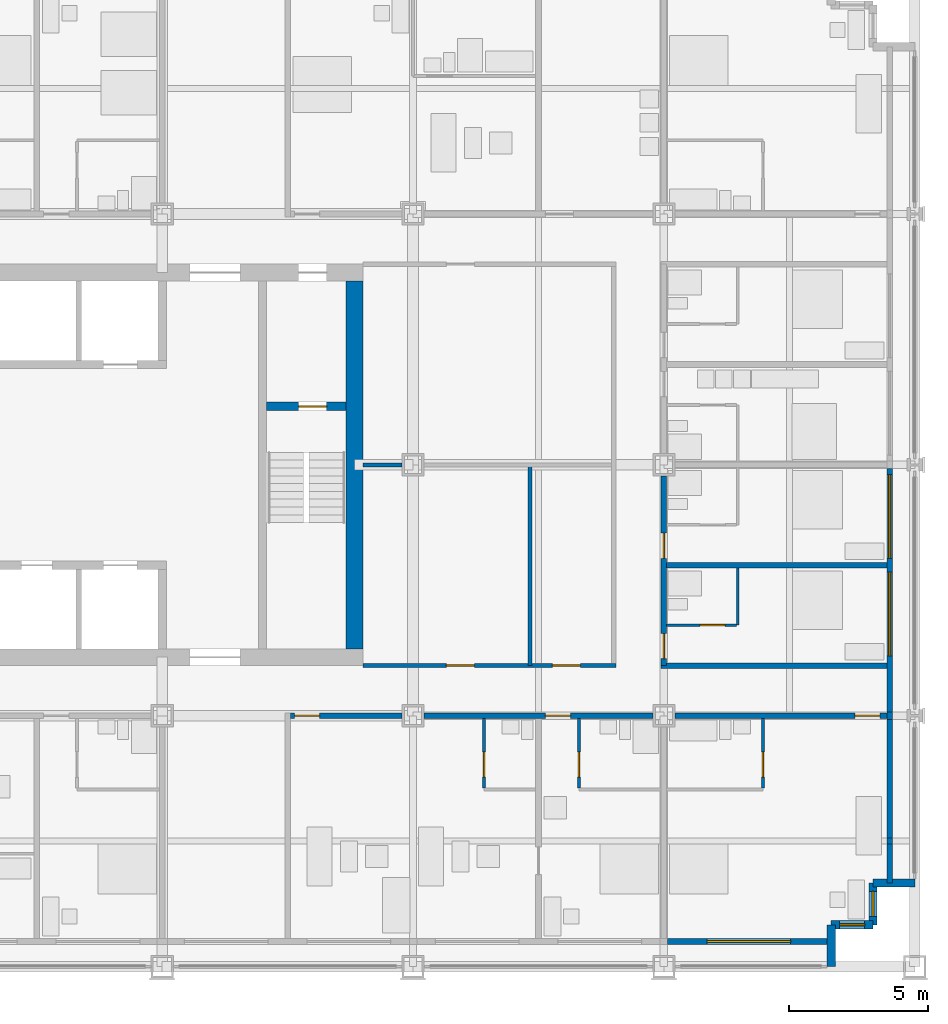
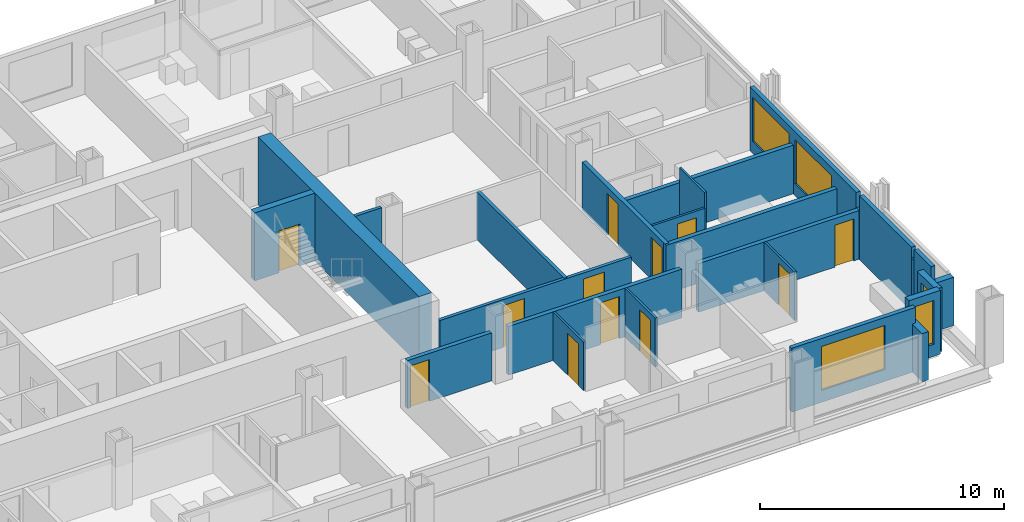
# One storey, part 13 of 18: 26 walls, 12 doors, 5 windows, 17 openings.
"""IFC4 building model written with IfcOpenShell, lengths in metres."""

from ifc_helpers import new_model, si_unit, direction, frame, frame_2d, origin, place, context, subcontext, project, spatial, rectangle, extrude, material, layer, layer_set, type_object, element, fill, save


model = new_model("IFC4")

# Units and contexts
model_context = context("Model", 3, precision=1e-05, world=origin(), true_north=direction((0.0, 1.0)))
body_context = subcontext(model_context, "Body", "Model", "MODEL_VIEW")
ifc_project = project(units=[si_unit("LENGTHUNIT", "METRE"), si_unit("AREAUNIT", "SQUARE_METRE"), si_unit("VOLUMEUNIT", "CUBIC_METRE"), si_unit("PLANEANGLEUNIT", "RADIAN"), si_unit("MASSUNIT", "GRAM", prefix="KILO")], contexts=[model_context])

# Site, building, storey
site_placement = place(None, origin())
site = spatial("IfcSite", under=ifc_project, at=site_placement, CompositionType="ELEMENT")
building_placement = place(site_placement, origin())
building = spatial("IfcBuilding", under=site, at=building_placement, Name="Loomwork Tower", CompositionType="ELEMENT")
storey_placement = place(building_placement, frame((0.0, 0.0, 58.60009765625)))
storey = spatial("IfcBuildingStorey", under=building, at=storey_placement, Name="L14", CompositionType="ELEMENT", Elevation=58.60009765625)

# Wall, opening, door
ifc_material_1 = material(Name="Concrete 14000 psi (97 MPa)", Category="concrete")
ifc_layer_1 = layer(ifc_material_1, 0.300048828125)
ifc_layer_set_1 = layer_set([ifc_layer_1], Name="Core shear wall 300")
wall_type_1 = type_object("IfcWallType", Name="Core shear wall 300", PredefinedType="SHEAR", material=ifc_layer_set_1)
wall_1_placement = place(storey_placement, frame((30.75, 20.10009765625, 0.0), z_axis=(0.0, 0.0, 1.0), x_axis=(1.0, 0.0, 0.0)))
wall_1 = element("IfcWall", 1, at=wall_1_placement, inside=storey, type_object=wall_type_1, Name="Stair B north wall L14", PredefinedType="SHEAR", context=body_context, shape_type="SweptSolid", body=[
    extrude(rectangle(XDim=2.85009765625, YDim=0.300048828125, at=frame_2d((1.425048828125, 0.0))), origin(), (0.0, 0.0, 1.0), 3.39990234375),
])
opening_1_placement = place(wall_1_placement, frame((1.14990234375, 0.0, 0.0)))
opening_1 = element("IfcOpeningElement", 2, at=opening_1_placement, cuts=wall_1, Name="Opening D4", PredefinedType="OPENING", context=body_context, shape_type="SweptSolid", body=[
    extrude(rectangle(XDim=1.0, YDim=2.10009765625, at=frame_2d((0.5, 1.050048828125))), frame((0.0, 0.159912109375, 0.0), z_axis=(0.0, -1.0, 0.0), x_axis=(1.0, 0.0, 0.0)), (0.0, 0.0, 1.0), 0.320068359375),
])
ifc_material_2 = material(Name="Hollow metal door and frame")
door_type_1 = type_object("IfcDoorType", Name="Stair door 1000", OperationType="SINGLE_SWING_RIGHT", PredefinedType="DOOR", material=ifc_material_2)
door_1_placement = place(opening_1_placement, frame((1.0, 0.0, 0.0), z_axis=(0.0, 0.0, 1.0), x_axis=(-1.0, 0.0, 0.0)))
door_1 = element("IfcDoor", 3, at=door_1_placement, inside=storey, type_object=door_type_1, Name="Stair B door", OperationType="SINGLE_SWING_LEFT", OverallHeight=2.10009765625, OverallWidth=1.0, PredefinedType="DOOR", context=body_context, shape_type="SweptSolid", body=[
    extrude(rectangle(XDim=1.0, YDim=2.10009765625, at=frame_2d((0.5, 1.050048828125))), frame((0.0, 0.02490234375, 0.0), z_axis=(0.0, -1.0, 0.0), x_axis=(1.0, 0.0, 0.0)), (0.0, 0.0, 1.0), 0.050048828125),
])
fill(opening_1, door_1)

# Wall
ifc_material_3 = material(Name="Concrete 14000 psi (97 MPa)", Category="concrete")
ifc_layer_2 = layer(ifc_material_3, 0.60009765625)
ifc_layer_set_2 = layer_set([ifc_layer_2], Name="Core shear wall 600")
wall_type_2 = type_object("IfcWallType", Name="Core shear wall 600", PredefinedType="SHEAR", material=ifc_layer_set_2)
wall_2_placement = place(storey_placement, frame((33.89990234375, 11.39990234375, 0.0), z_axis=(0.0, 0.0, 1.0), x_axis=(0.0, 1.0, 0.0)))
element("IfcWall", 4, at=wall_2_placement, inside=storey, type_object=wall_type_2, Name="Core wall east L14", PredefinedType="SHEAR", context=body_context, shape_type="SweptSolid", body=[
    extrude(rectangle(XDim=13.2001953125, YDim=0.60009765625, at=frame_2d((6.60009765625, 0.0))), origin(), (0.0, 0.0, 1.0), 3.39990234375),
])

# Wall, opening, door
ifc_material_4 = material(Name="Gypsum board on steel studs, one-hour", Category="steel")
ifc_layer_3 = layer(ifc_material_4, 0.199951171875)
ifc_layer_set_3 = layer_set([ifc_layer_3], Name="Corridor wall 200")
wall_type_3 = type_object("IfcWallType", Name="Corridor wall 200", PredefinedType="PARTITIONING", material=ifc_layer_set_3)
wall_3_placement = place(storey_placement, frame((31.60009765625, 9.0, 0.0), z_axis=(0.0, 0.0, 1.0), x_axis=(1.0, 0.0, 0.0)))
wall_3 = element("IfcWall", 5, at=wall_3_placement, inside=storey, type_object=wall_type_3, Name="South corridor wall 4", PredefinedType="PARTITIONING", context=body_context, shape_type="SweptSolid", body=[
    extrude(rectangle(XDim=4.0, YDim=0.199951171875, at=frame_2d((2.0, 0.0))), origin(), (0.0, 0.0, 1.0), 2.40478515625),
])
opening_2_placement = place(wall_3_placement, frame((0.14990234375, 0.0, 0.0)))
opening_2 = element("IfcOpeningElement", 6, at=opening_2_placement, cuts=wall_3, Name="Opening D1", PredefinedType="OPENING", context=body_context, shape_type="SweptSolid", body=[
    extrude(rectangle(XDim=0.89990234375, YDim=2.10009765625, at=frame_2d((0.449951171875, 1.050048828125))), frame((0.0, 0.10986328125, 0.0), z_axis=(0.0, -1.0, 0.0), x_axis=(1.0, 0.0, 0.0)), (0.0, 0.0, 1.0), 0.219970703125),
])
ifc_material_5 = material(Name="Hollow metal door and frame")
door_type_2 = type_object("IfcDoorType", Name="Guest room entry door 900", OperationType="SINGLE_SWING_LEFT", PredefinedType="DOOR", material=ifc_material_5)
door_2_placement = place(opening_2_placement, frame((0.89990234375, 0.0, 0.0), z_axis=(0.0, 0.0, 1.0), x_axis=(-1.0, 0.0, 0.0)))
door_2 = element("IfcDoor", 7, at=door_2_placement, inside=storey, type_object=door_type_2, Name="Guest room entry door L14 5", OperationType="SINGLE_SWING_RIGHT", OverallHeight=2.10009765625, OverallWidth=0.89990234375, PredefinedType="DOOR", context=body_context, shape_type="SweptSolid", body=[
    extrude(rectangle(XDim=0.89990234375, YDim=2.10009765625, at=frame_2d((0.449951171875, 1.050048828125))), frame((0.0, 0.02490234375, 0.0), z_axis=(0.0, -1.0, 0.0), x_axis=(1.0, 0.0, 0.0)), (0.0, 0.0, 1.0), 0.050048828125),
])
fill(opening_2, door_2)

wall_4_placement = place(storey_placement, frame((36.39990234375, 9.0, 0.0), z_axis=(0.0, 0.0, 1.0), x_axis=(1.0, 0.0, 0.0)))
wall_4 = element("IfcWall", 8, at=wall_4_placement, inside=storey, type_object=wall_type_3, Name="South corridor wall 5", PredefinedType="PARTITIONING", context=body_context, shape_type="SweptSolid", body=[
    extrude(rectangle(XDim=8.2001953125, YDim=0.199951171875, at=frame_2d((4.10009765625, 0.0))), origin(), (0.0, 0.0, 1.0), 2.43798828125),
])
opening_3_placement = place(wall_4_placement, frame((4.35009765625, 0.0, 0.0)))
opening_3 = element("IfcOpeningElement", 9, at=opening_3_placement, cuts=wall_4, Name="Opening D1", PredefinedType="OPENING", context=body_context, shape_type="SweptSolid", body=[
    extrude(rectangle(XDim=0.89990234375, YDim=2.10009765625, at=frame_2d((0.449951171875, 1.050048828125))), frame((0.0, 0.10986328125, 0.0), z_axis=(0.0, -1.0, 0.0), x_axis=(1.0, 0.0, 0.0)), (0.0, 0.0, 1.0), 0.219970703125),
])
door_3_placement = place(opening_3_placement, frame((0.89990234375, 0.0, 0.0), z_axis=(0.0, 0.0, 1.0), x_axis=(-1.0, 0.0, 0.0)))
door_3 = element("IfcDoor", 10, at=door_3_placement, inside=storey, type_object=door_type_2, Name="Guest room entry door L14 6", OperationType="SINGLE_SWING_RIGHT", OverallHeight=2.10009765625, OverallWidth=0.89990234375, PredefinedType="DOOR", context=body_context, shape_type="SweptSolid", body=[
    extrude(rectangle(XDim=0.89990234375, YDim=2.10009765625, at=frame_2d((0.449951171875, 1.050048828125))), frame((0.0, 0.02490234375, 0.0), z_axis=(0.0, -1.0, 0.0), x_axis=(1.0, 0.0, 0.0)), (0.0, 0.0, 1.0), 0.050048828125),
])
fill(opening_3, door_3)

wall_5_placement = place(storey_placement, frame((45.39990234375, 9.0, 0.0), z_axis=(0.0, 0.0, 1.0), x_axis=(1.0, 0.0, 0.0)))
wall_5 = element("IfcWall", 11, at=wall_5_placement, inside=storey, type_object=wall_type_3, Name="South corridor wall 6", PredefinedType="PARTITIONING", context=body_context, shape_type="SweptSolid", body=[
    extrude(rectangle(XDim=7.60009765625, YDim=0.199951171875, at=frame_2d((3.800048828125, 0.0))), origin(), (0.0, 0.0, 1.0), 2.43798828125),
])
opening_4_placement = place(wall_5_placement, frame((6.449951171875, 0.0, 0.0)))
opening_4 = element("IfcOpeningElement", 12, at=opening_4_placement, cuts=wall_5, Name="Opening D1", PredefinedType="OPENING", context=body_context, shape_type="SweptSolid", body=[
    extrude(rectangle(XDim=0.89990234375, YDim=2.10009765625, at=frame_2d((0.449951171875, 1.050048828125))), frame((0.0, 0.10986328125, 0.0), z_axis=(0.0, -1.0, 0.0), x_axis=(1.0, 0.0, 0.0)), (0.0, 0.0, 1.0), 0.219970703125),
])
door_4_placement = place(opening_4_placement, frame((0.89990234375, 0.0, 0.0), z_axis=(0.0, 0.0, 1.0), x_axis=(-1.0, 0.0, 0.0)))
door_4 = element("IfcDoor", 13, at=door_4_placement, inside=storey, type_object=door_type_2, Name="Guest room entry door L14 7", OperationType="SINGLE_SWING_LEFT", OverallHeight=2.10009765625, OverallWidth=0.89990234375, PredefinedType="DOOR", context=body_context, shape_type="SweptSolid", body=[
    extrude(rectangle(XDim=0.89990234375, YDim=2.10009765625, at=frame_2d((0.449951171875, 1.050048828125))), frame((0.0, 0.02490234375, 0.0), z_axis=(0.0, -1.0, 0.0), x_axis=(1.0, 0.0, 0.0)), (0.0, 0.0, 1.0), 0.050048828125),
])
fill(opening_4, door_4)

# Wall, openings, doors
wall_6_placement = place(storey_placement, frame((45.0, 10.800048828125, 0.0), z_axis=(0.0, 0.0, 1.0), x_axis=(0.0, 1.0, 0.0)))
wall_6 = element("IfcWall", 14, at=wall_6_placement, inside=storey, type_object=wall_type_3, Name="East corridor wall 1", PredefinedType="PARTITIONING", context=body_context, shape_type="SweptSolid", body=[
    extrude(rectangle(XDim=6.800048828125, YDim=0.199951171875, at=frame_2d((3.39990234375, 0.0))), origin(), (0.0, 0.0, 1.0), 2.43798828125),
])
opening_5_placement = place(wall_6_placement, frame((0.25, 0.0, 0.0)))
opening_5 = element("IfcOpeningElement", 15, at=opening_5_placement, cuts=wall_6, Name="Opening D1", PredefinedType="OPENING", context=body_context, shape_type="SweptSolid", body=[
    extrude(rectangle(XDim=0.89990234375, YDim=2.10009765625, at=frame_2d((0.449951171875, 1.050048828125))), frame((0.0, 0.10986328125, 0.0), z_axis=(0.0, -1.0, 0.0), x_axis=(1.0, 0.0, 0.0)), (0.0, 0.0, 1.0), 0.219970703125),
])
opening_6_placement = place(wall_6_placement, frame((3.85009765625, 0.0, 0.0)))
opening_6 = element("IfcOpeningElement", 16, at=opening_6_placement, cuts=wall_6, Name="Opening D1", PredefinedType="OPENING", context=body_context, shape_type="SweptSolid", body=[
    extrude(rectangle(XDim=0.89990234375, YDim=2.10009765625, at=frame_2d((0.449951171875, 1.050048828125))), frame((0.0, 0.10986328125, 0.0), z_axis=(0.0, -1.0, 0.0), x_axis=(1.0, 0.0, 0.0)), (0.0, 0.0, 1.0), 0.219970703125),
])
door_5_placement = place(opening_5_placement, frame((0.89990234375, 0.0, 0.0), z_axis=(0.0, 0.0, 1.0), x_axis=(-1.0, 0.0, 0.0)))
door_5 = element("IfcDoor", 17, at=door_5_placement, inside=storey, type_object=door_type_2, Name="Guest room entry door L14 19", OperationType="SINGLE_SWING_RIGHT", OverallHeight=2.10009765625, OverallWidth=0.89990234375, PredefinedType="DOOR", context=body_context, shape_type="SweptSolid", body=[
    extrude(rectangle(XDim=0.89990234375, YDim=2.10009765625, at=frame_2d((0.449951171875, 1.050048828125))), frame((0.0, 0.02490234375, 0.0), z_axis=(0.0, -1.0, 0.0), x_axis=(1.0, 0.0, 0.0)), (0.0, 0.0, 1.0), 0.050048828125),
])
fill(opening_5, door_5)
door_6_placement = place(opening_6_placement, frame((0.89990234375, 0.0, 0.0), z_axis=(0.0, 0.0, 1.0), x_axis=(-1.0, 0.0, 0.0)))
door_6 = element("IfcDoor", 18, at=door_6_placement, inside=storey, type_object=door_type_2, Name="Guest room entry door L14 20", OperationType="SINGLE_SWING_RIGHT", OverallHeight=2.10009765625, OverallWidth=0.89990234375, PredefinedType="DOOR", context=body_context, shape_type="SweptSolid", body=[
    extrude(rectangle(XDim=0.89990234375, YDim=2.10009765625, at=frame_2d((0.449951171875, 1.050048828125))), frame((0.0, 0.02490234375, 0.0), z_axis=(0.0, -1.0, 0.0), x_axis=(1.0, 0.0, 0.0)), (0.0, 0.0, 1.0), 0.050048828125),
])
fill(opening_6, door_6)

# Wall
wall_7_placement = place(storey_placement, frame((44.89990234375, 10.800048828125, 0.0), z_axis=(0.0, 0.0, 1.0), x_axis=(1.0, 0.0, 0.0)))
element("IfcWall", 19, at=wall_7_placement, inside=storey, type_object=wall_type_3, Name="East band end wall S", PredefinedType="PARTITIONING", context=body_context, shape_type="SweptSolid", body=[
    extrude(rectangle(XDim=8.10009765625, YDim=0.199951171875, at=frame_2d((4.050048828125, 0.0))), origin(), (0.0, 0.0, 1.0), 2.43798828125),
])

# Wall, opening, door
ifc_material_6 = material(Name="Cement board on steel studs", Category="steel")
ifc_layer_4 = layer(ifc_material_6, 0.10009765625)
ifc_layer_set_4 = layer_set([ifc_layer_4], Name="En-suite partition 100")
wall_type_4 = type_object("IfcWallType", Name="En-suite partition 100", PredefinedType="PARTITIONING", material=ifc_layer_set_4)
wall_8_placement = place(storey_placement, frame((38.550048828125, 8.89990234375, 0.0), z_axis=(0.0, 0.0, 1.0), x_axis=(0.0, -1.0, 0.0)))
wall_8 = element("IfcWall", 20, at=wall_8_placement, inside=storey, type_object=wall_type_4, Name="En-suite side wall L14 room 5", PredefinedType="PARTITIONING", context=body_context, shape_type="SweptSolid", body=[
    extrude(rectangle(XDim=2.5, YDim=0.10009765625, at=frame_2d((1.25, 0.0))), origin(), (0.0, 0.0, 1.0), 2.43798828125),
])
opening_7_placement = place(wall_8_placement, frame((1.199951171875, 0.0, 0.0)))
opening_7 = element("IfcOpeningElement", 21, at=opening_7_placement, cuts=wall_8, Name="Opening D2", PredefinedType="OPENING", context=body_context, shape_type="SweptSolid", body=[
    extrude(rectangle(XDim=0.89990234375, YDim=2.10009765625, at=frame_2d((0.449951171875, 1.050048828125))), frame((0.0, 0.06005859375, 0.0), z_axis=(0.0, -1.0, 0.0), x_axis=(1.0, 0.0, 0.0)), (0.0, 0.0, 1.0), 0.1201171875),
])
ifc_material_7 = material(Name="Hollow metal door and frame")
door_type_3 = type_object("IfcDoorType", Name="En-suite door 900", OperationType="SINGLE_SWING_LEFT", PredefinedType="DOOR", material=ifc_material_7)
door_7_placement = place(opening_7_placement, origin())
door_7 = element("IfcDoor", 22, at=door_7_placement, inside=storey, type_object=door_type_3, Name="Suite powder room door room 5", OperationType="SINGLE_SWING_RIGHT", OverallHeight=2.10009765625, OverallWidth=0.89990234375, PredefinedType="DOOR", context=body_context, shape_type="SweptSolid", body=[
    extrude(rectangle(XDim=0.89990234375, YDim=2.10009765625, at=frame_2d((0.449951171875, 1.050048828125))), frame((0.0, 0.02490234375, 0.0), z_axis=(0.0, -1.0, 0.0), x_axis=(1.0, 0.0, 0.0)), (0.0, 0.0, 1.0), 0.050048828125),
])
fill(opening_7, door_7)

wall_9_placement = place(storey_placement, frame((41.949951171875, 8.89990234375, 0.0), z_axis=(0.0, 0.0, 1.0), x_axis=(0.0, -1.0, 0.0)))
wall_9 = element("IfcWall", 23, at=wall_9_placement, inside=storey, type_object=wall_type_4, Name="En-suite side wall L14 room 6", PredefinedType="PARTITIONING", context=body_context, shape_type="SweptSolid", body=[
    extrude(rectangle(XDim=2.5, YDim=0.10009765625, at=frame_2d((1.25, 0.0))), origin(), (0.0, 0.0, 1.0), 2.43798828125),
])
opening_8_placement = place(wall_9_placement, frame((1.199951171875, 0.0, 0.0)))
opening_8 = element("IfcOpeningElement", 24, at=opening_8_placement, cuts=wall_9, Name="Opening D2", PredefinedType="OPENING", context=body_context, shape_type="SweptSolid", body=[
    extrude(rectangle(XDim=0.89990234375, YDim=2.10009765625, at=frame_2d((0.449951171875, 1.050048828125))), frame((0.0, 0.06005859375, 0.0), z_axis=(0.0, -1.0, 0.0), x_axis=(1.0, 0.0, 0.0)), (0.0, 0.0, 1.0), 0.1201171875),
])
door_8_placement = place(opening_8_placement, origin())
door_8 = element("IfcDoor", 25, at=door_8_placement, inside=storey, type_object=door_type_3, Name="En-suite door room 6", OperationType="SINGLE_SWING_RIGHT", OverallHeight=2.10009765625, OverallWidth=0.89990234375, PredefinedType="DOOR", context=body_context, shape_type="SweptSolid", body=[
    extrude(rectangle(XDim=0.89990234375, YDim=2.10009765625, at=frame_2d((0.449951171875, 1.050048828125))), frame((0.0, 0.02490234375, 0.0), z_axis=(0.0, -1.0, 0.0), x_axis=(1.0, 0.0, 0.0)), (0.0, 0.0, 1.0), 0.050048828125),
])
fill(opening_8, door_8)

wall_10_placement = place(storey_placement, frame((48.550048828125, 8.89990234375, 0.0), z_axis=(0.0, 0.0, 1.0), x_axis=(0.0, -1.0, 0.0)))
wall_10 = element("IfcWall", 26, at=wall_10_placement, inside=storey, type_object=wall_type_4, Name="En-suite side wall L14 room 7", PredefinedType="PARTITIONING", context=body_context, shape_type="SweptSolid", body=[
    extrude(rectangle(XDim=2.5, YDim=0.10009765625, at=frame_2d((1.25, 0.0))), origin(), (0.0, 0.0, 1.0), 2.43798828125),
])
opening_9_placement = place(wall_10_placement, frame((1.199951171875, 0.0, 0.0)))
opening_9 = element("IfcOpeningElement", 27, at=opening_9_placement, cuts=wall_10, Name="Opening D2", PredefinedType="OPENING", context=body_context, shape_type="SweptSolid", body=[
    extrude(rectangle(XDim=0.89990234375, YDim=2.10009765625, at=frame_2d((0.449951171875, 1.050048828125))), frame((0.0, 0.06005859375, 0.0), z_axis=(0.0, -1.0, 0.0), x_axis=(1.0, 0.0, 0.0)), (0.0, 0.0, 1.0), 0.1201171875),
])
door_9_placement = place(opening_9_placement, frame((0.89990234375, 0.0, 0.0), z_axis=(0.0, 0.0, 1.0), x_axis=(-1.0, 0.0, 0.0)))
door_9 = element("IfcDoor", 28, at=door_9_placement, inside=storey, type_object=door_type_3, Name="En-suite door room 7", OperationType="SINGLE_SWING_LEFT", OverallHeight=2.10009765625, OverallWidth=0.89990234375, PredefinedType="DOOR", context=body_context, shape_type="SweptSolid", body=[
    extrude(rectangle(XDim=0.89990234375, YDim=2.10009765625, at=frame_2d((0.449951171875, 1.050048828125))), frame((0.0, 0.02490234375, 0.0), z_axis=(0.0, -1.0, 0.0), x_axis=(1.0, 0.0, 0.0)), (0.0, 0.0, 1.0), 0.050048828125),
])
fill(opening_9, door_9)

# Wall
wall_11_placement = place(storey_placement, frame((47.64990234375, 12.25, 0.0), z_axis=(0.0, 0.0, 1.0), x_axis=(0.0, 1.0, 0.0)))
element("IfcWall", 29, at=wall_11_placement, inside=storey, type_object=wall_type_4, Name="En-suite wall L14 room 19", PredefinedType="PARTITIONING", context=body_context, shape_type="SweptSolid", body=[
    extrude(rectangle(XDim=2.050048828125, YDim=0.10009765625, at=frame_2d((1.02490234375, 0.0))), origin(), (0.0, 0.0, 1.0), 3.199951171875),
])

# Wall, opening, door
wall_12_placement = place(storey_placement, frame((45.10009765625, 12.25, 0.0), z_axis=(0.0, 0.0, 1.0), x_axis=(1.0, 0.0, 0.0)))
wall_12 = element("IfcWall", 30, at=wall_12_placement, inside=storey, type_object=wall_type_4, Name="En-suite side wall L14 room 19", PredefinedType="PARTITIONING", context=body_context, shape_type="SweptSolid", body=[
    extrude(rectangle(XDim=2.5, YDim=0.10009765625, at=frame_2d((1.25, 0.0))), origin(), (0.0, 0.0, 1.0), 2.43798828125),
])
opening_10_placement = place(wall_12_placement, frame((1.199951171875, 0.0, 0.0)))
opening_10 = element("IfcOpeningElement", 31, at=opening_10_placement, cuts=wall_12, Name="Opening D2", PredefinedType="OPENING", context=body_context, shape_type="SweptSolid", body=[
    extrude(rectangle(XDim=0.89990234375, YDim=2.10009765625, at=frame_2d((0.449951171875, 1.050048828125))), frame((0.0, 0.06005859375, 0.0), z_axis=(0.0, -1.0, 0.0), x_axis=(1.0, 0.0, 0.0)), (0.0, 0.0, 1.0), 0.1201171875),
])
door_10_placement = place(opening_10_placement, origin())
door_10 = element("IfcDoor", 32, at=door_10_placement, inside=storey, type_object=door_type_3, Name="En-suite door room 19", OperationType="SINGLE_SWING_RIGHT", OverallHeight=2.10009765625, OverallWidth=0.89990234375, PredefinedType="DOOR", context=body_context, shape_type="SweptSolid", body=[
    extrude(rectangle(XDim=0.89990234375, YDim=2.10009765625, at=frame_2d((0.449951171875, 1.050048828125))), frame((0.0, 0.02490234375, 0.0), z_axis=(0.0, -1.0, 0.0), x_axis=(1.0, 0.0, 0.0)), (0.0, 0.0, 1.0), 0.050048828125),
])
fill(opening_10, door_10)

# Walls
ifc_material_8 = material(Name="Gypsum board on steel studs, acoustic", Category="steel")
ifc_layer_5 = layer(ifc_material_8, 0.199951171875)
ifc_layer_set_5 = layer_set([ifc_layer_5], Name="Guest room party wall 200")
wall_type_5 = type_object("IfcWallType", Name="Guest room party wall 200", PredefinedType="PARTITIONING", material=ifc_layer_set_5)
wall_13_placement = place(storey_placement, frame((45.10009765625, 14.39990234375, 0.0), z_axis=(0.0, 0.0, 1.0), x_axis=(1.0, 0.0, 0.0)))
element("IfcWall", 33, at=wall_13_placement, inside=storey, type_object=wall_type_5, Name="Guest room party wall E 14.4", PredefinedType="PARTITIONING", context=body_context, shape_type="SweptSolid", body=[
    extrude(rectangle(XDim=7.89990234375, YDim=0.199951171875, at=frame_2d((3.949951171875, 0.0))), origin(), (0.0, 0.0, 1.0), 2.43798828125),
])
ifc_material_9 = material(Name="Insulated steel stud wall with gypsum lining", Category="steel")
ifc_layer_6 = layer(ifc_material_9, 0.199951171875)
ifc_layer_set_6 = layer_set([ifc_layer_6], Name="Inner skin wall 200")
wall_type_6 = type_object("IfcWallType", Name="Inner skin wall 200", PredefinedType="SOLIDWALL", material=ifc_layer_set_6)
wall_14_placement = place(storey_placement, frame((53.10009765625, 3.0, 0.0), z_axis=(0.0, 0.0, 1.0), x_axis=(0.0, 1.0, 0.0)))
element("IfcWall", 34, at=wall_14_placement, inside=storey, type_object=wall_type_6, Name="Inner skin wall E", PredefinedType="SOLIDWALL", context=body_context, shape_type="SweptSolid", body=[
    extrude(rectangle(XDim=1.392578125, YDim=0.199951171875, at=frame_2d((0.6962890625, 0.0))), origin(), (0.0, 0.0, 1.0), 3.199951171875),
])

# Wall, opening, window
wall_15_placement = place(storey_placement, frame((45.135498046875, 0.89990234375, 0.0), z_axis=(0.0, 0.0, 1.0), x_axis=(1.0, 0.0, 0.0)))
wall_15 = element("IfcWall", 35, at=wall_15_placement, inside=storey, type_object=wall_type_6, Name="Inner skin wall S bay 11", PredefinedType="SOLIDWALL", context=body_context, shape_type="SweptSolid", body=[
    extrude(rectangle(XDim=5.864501953125, YDim=0.199951171875, at=frame_2d((2.93212890625, 0.0))), origin(), (0.0, 0.0, 1.0), 3.199951171875),
])
opening_11_placement = place(wall_15_placement, frame((1.41455078125, 0.0, 0.60009765625)))
opening_11 = element("IfcOpeningElement", 36, at=opening_11_placement, cuts=wall_15, Name="Opening CH1", PredefinedType="OPENING", context=body_context, shape_type="SweptSolid", body=[
    extrude(rectangle(XDim=3.0, YDim=2.199951171875, at=frame_2d((1.5, 1.10009765625))), frame((0.0, 0.10986328125, 0.0), z_axis=(0.0, -1.0, 0.0), x_axis=(1.0, 0.0, 0.0)), (0.0, 0.0, 1.0), 0.219970703125),
])
ifc_material_10 = material(Name="Aluminium frame with clear insulated glass", Category="aluminium")
window_type_1 = type_object("IfcWindowType", Name="Chicago window 3000", PartitioningType="TRIPLE_PANEL_VERTICAL", PredefinedType="WINDOW", material=ifc_material_10)
window_1_placement = place(opening_11_placement, origin())
window_1 = element("IfcWindow", 37, at=window_1_placement, inside=storey, type_object=window_type_1, Name="Chicago window L14 bay 6", OverallHeight=2.199951171875, OverallWidth=3.0, PartitioningType="TRIPLE_PANEL_VERTICAL", PredefinedType="WINDOW", context=body_context, shape_type="SweptSolid", body=[
    extrude(rectangle(XDim=3.0, YDim=2.199951171875, at=frame_2d((1.5, 1.10009765625))), frame((0.0, 0.030029296875, 0.0), z_axis=(0.0, -1.0, 0.0), x_axis=(1.0, 0.0, 0.0)), (0.0, 0.0, 1.0), 0.06005859375),
])
fill(opening_11, window_1)

# Walls
wall_16_placement = place(storey_placement, frame((53.10009765625, 4.392578125, 0.0), z_axis=(0.0, 0.0, 1.0), x_axis=(0.0, 1.0, 0.0)))
element("IfcWall", 38, at=wall_16_placement, inside=storey, type_object=wall_type_6, Name="Inner skin wall E bay 2", PredefinedType="SOLIDWALL", context=body_context, shape_type="SweptSolid", body=[
    extrude(rectangle(XDim=0.21484375, YDim=0.199951171875, at=frame_2d((0.107421875, 0.0))), origin(), (0.0, 0.0, 1.0), 2.660888671875),
])
wall_17_placement = place(storey_placement, frame((53.10009765625, 4.607421875, 0.0), z_axis=(0.0, 0.0, 1.0), x_axis=(0.0, 1.0, 0.0)))
element("IfcWall", 39, at=wall_17_placement, inside=storey, type_object=wall_type_6, Name="Inner skin wall E bay 3", PredefinedType="SOLIDWALL", context=body_context, shape_type="SweptSolid", body=[
    extrude(rectangle(XDim=4.25732421875, YDim=0.199951171875, at=frame_2d((2.128662109375, 0.0))), origin(), (0.0, 0.0, 1.0), 3.199951171875),
])
wall_18_placement = place(storey_placement, frame((53.10009765625, 8.86474609375, 0.0), z_axis=(0.0, 0.0, 1.0), x_axis=(0.0, 1.0, 0.0)))
element("IfcWall", 40, at=wall_18_placement, inside=storey, type_object=wall_type_6, Name="Inner skin wall E bay 4", PredefinedType="SOLIDWALL", context=body_context, shape_type="SweptSolid", body=[
    extrude(rectangle(XDim=0.2705078125, YDim=0.199951171875, at=frame_2d((0.13525390625, 0.0))), origin(), (0.0, 0.0, 1.0), 2.43798828125),
])

# Wall, openings, windows
wall_19_placement = place(storey_placement, frame((53.10009765625, 9.13525390625, 0.0), z_axis=(0.0, 0.0, 1.0), x_axis=(0.0, 1.0, 0.0)))
wall_19 = element("IfcWall", 41, at=wall_19_placement, inside=storey, type_object=wall_type_6, Name="Inner skin wall E bay 5", PredefinedType="SOLIDWALL", context=body_context, shape_type="SweptSolid", body=[
    extrude(rectangle(XDim=8.729248046875, YDim=0.199951171875, at=frame_2d((4.36474609375, 0.0))), origin(), (0.0, 0.0, 1.0), 3.199951171875),
])
opening_12_placement = place(wall_19_placement, frame((2.0146484375, 0.0, 0.60009765625)))
opening_12 = element("IfcOpeningElement", 42, at=opening_12_placement, cuts=wall_19, Name="Opening CH1", PredefinedType="OPENING", context=body_context, shape_type="SweptSolid", body=[
    extrude(rectangle(XDim=3.0, YDim=2.199951171875, at=frame_2d((1.5, 1.10009765625))), frame((0.0, 0.10986328125, 0.0), z_axis=(0.0, -1.0, 0.0), x_axis=(1.0, 0.0, 0.0)), (0.0, 0.0, 1.0), 0.219970703125),
])
opening_13_placement = place(wall_19_placement, frame((5.5146484375, 0.0, 0.60009765625)))
opening_13 = element("IfcOpeningElement", 43, at=opening_13_placement, cuts=wall_19, Name="Opening CH1", PredefinedType="OPENING", context=body_context, shape_type="SweptSolid", body=[
    extrude(rectangle(XDim=3.0, YDim=2.199951171875, at=frame_2d((1.5, 1.10009765625))), frame((0.0, 0.10986328125, 0.0), z_axis=(0.0, -1.0, 0.0), x_axis=(1.0, 0.0, 0.0)), (0.0, 0.0, 1.0), 0.219970703125),
])
window_2_placement = place(opening_12_placement, origin())
window_2 = element("IfcWindow", 44, at=window_2_placement, inside=storey, type_object=window_type_1, Name="Chicago window L14 bay 15", OverallHeight=2.199951171875, OverallWidth=3.0, PartitioningType="TRIPLE_PANEL_VERTICAL", PredefinedType="WINDOW", context=body_context, shape_type="SweptSolid", body=[
    extrude(rectangle(XDim=3.0, YDim=2.199951171875, at=frame_2d((1.5, 1.10009765625))), frame((0.0, 0.030029296875, 0.0), z_axis=(0.0, -1.0, 0.0), x_axis=(1.0, 0.0, 0.0)), (0.0, 0.0, 1.0), 0.06005859375),
])
fill(opening_12, window_2)
window_3_placement = place(opening_13_placement, origin())
window_3 = element("IfcWindow", 45, at=window_3_placement, inside=storey, type_object=window_type_1, Name="Chicago window L14 bay 15", OverallHeight=2.199951171875, OverallWidth=3.0, PartitioningType="TRIPLE_PANEL_VERTICAL", PredefinedType="WINDOW", context=body_context, shape_type="SweptSolid", body=[
    extrude(rectangle(XDim=3.0, YDim=2.199951171875, at=frame_2d((1.5, 1.10009765625))), frame((0.0, 0.030029296875, 0.0), z_axis=(0.0, -1.0, 0.0), x_axis=(1.0, 0.0, 0.0)), (0.0, 0.0, 1.0), 0.06005859375),
])
fill(opening_13, window_3)

# Wall
ifc_material_11 = material(Name="Limestone on concrete masonry", Category="masonry")
ifc_layer_7 = layer(ifc_material_11, 0.300048828125)
ifc_layer_set_7 = layer_set([ifc_layer_7], Name="Limestone corner wall 300")
wall_type_7 = type_object("IfcWallType", Name="Limestone corner wall 300", PredefinedType="SOLIDWALL", material=ifc_layer_set_7)
wall_20_placement = place(storey_placement, frame((51.0, 0.0, 0.0), z_axis=(0.0, 0.0, 1.0), x_axis=(0.0, 1.0, 0.0)))
element("IfcWall", 46, at=wall_20_placement, inside=storey, type_object=wall_type_7, Name="Stone corner wall SE 1", PredefinedType="SOLIDWALL", context=body_context, shape_type="SweptSolid", body=[
    extrude(rectangle(XDim=1.5, YDim=0.300048828125, at=frame_2d((0.75, 0.0))), origin(), (0.0, 0.0, 1.0), 2.419921875),
])

# Wall, opening, window
wall_21_placement = place(storey_placement, frame((51.0, 1.5, 0.0), z_axis=(0.0, 0.0, 1.0), x_axis=(1.0, 0.0, 0.0)))
wall_21 = element("IfcWall", 47, at=wall_21_placement, inside=storey, type_object=wall_type_7, Name="Stone corner wall SE 2", PredefinedType="SOLIDWALL", context=body_context, shape_type="SweptSolid", body=[
    extrude(rectangle(XDim=1.5, YDim=0.300048828125, at=frame_2d((0.75, 0.0))), origin(), (0.0, 0.0, 1.0), 3.199951171875),
])
opening_14_placement = place(wall_21_placement, frame((0.300048828125, 0.0, 0.60009765625)))
opening_14 = element("IfcOpeningElement", 48, at=opening_14_placement, cuts=wall_21, Name="Opening CH2", PredefinedType="OPENING", context=body_context, shape_type="SweptSolid", body=[
    extrude(rectangle(XDim=0.89990234375, YDim=2.199951171875, at=frame_2d((0.449951171875, 1.10009765625))), frame((0.0, 0.159912109375, 0.0), z_axis=(0.0, -1.0, 0.0), x_axis=(1.0, 0.0, 0.0)), (0.0, 0.0, 1.0), 0.320068359375),
])
ifc_material_12 = material(Name="Aluminium frame with clear insulated glass", Category="aluminium")
window_type_2 = type_object("IfcWindowType", Name="Corner window 900", PartitioningType="SINGLE_PANEL", PredefinedType="WINDOW", material=ifc_material_12)
window_4_placement = place(opening_14_placement, origin())
window_4 = element("IfcWindow", 49, at=window_4_placement, inside=storey, type_object=window_type_2, Name="Corner window SE", OverallHeight=2.199951171875, OverallWidth=0.89990234375, PartitioningType="SINGLE_PANEL", PredefinedType="WINDOW", context=body_context, shape_type="SweptSolid", body=[
    extrude(rectangle(XDim=0.89990234375, YDim=2.199951171875, at=frame_2d((0.449951171875, 1.10009765625))), frame((0.0, 0.030029296875, 0.0), z_axis=(0.0, -1.0, 0.0), x_axis=(1.0, 0.0, 0.0)), (0.0, 0.0, 1.0), 0.06005859375),
])
fill(opening_14, window_4)

wall_22_placement = place(storey_placement, frame((52.5, 1.5, 0.0), z_axis=(0.0, 0.0, 1.0), x_axis=(0.0, 1.0, 0.0)))
wall_22 = element("IfcWall", 50, at=wall_22_placement, inside=storey, type_object=wall_type_7, Name="Stone corner wall SE 3", PredefinedType="SOLIDWALL", context=body_context, shape_type="SweptSolid", body=[
    extrude(rectangle(XDim=1.5, YDim=0.300048828125, at=frame_2d((0.75, 0.0))), origin(), (0.0, 0.0, 1.0), 3.199951171875),
])
opening_15_placement = place(wall_22_placement, frame((0.300048828125, 0.0, 0.60009765625)))
opening_15 = element("IfcOpeningElement", 51, at=opening_15_placement, cuts=wall_22, Name="Opening CH2", PredefinedType="OPENING", context=body_context, shape_type="SweptSolid", body=[
    extrude(rectangle(XDim=0.89990234375, YDim=2.199951171875, at=frame_2d((0.449951171875, 1.10009765625))), frame((0.0, 0.159912109375, 0.0), z_axis=(0.0, -1.0, 0.0), x_axis=(1.0, 0.0, 0.0)), (0.0, 0.0, 1.0), 0.320068359375),
])
window_5_placement = place(opening_15_placement, origin())
window_5 = element("IfcWindow", 52, at=window_5_placement, inside=storey, type_object=window_type_2, Name="Corner window SE", OverallHeight=2.199951171875, OverallWidth=0.89990234375, PartitioningType="SINGLE_PANEL", PredefinedType="WINDOW", context=body_context, shape_type="SweptSolid", body=[
    extrude(rectangle(XDim=0.89990234375, YDim=2.199951171875, at=frame_2d((0.449951171875, 1.10009765625))), frame((0.0, 0.030029296875, 0.0), z_axis=(0.0, -1.0, 0.0), x_axis=(1.0, 0.0, 0.0)), (0.0, 0.0, 1.0), 0.06005859375),
])
fill(opening_15, window_5)

# Wall
wall_23_placement = place(storey_placement, frame((52.5, 3.0, 0.0), z_axis=(0.0, 0.0, 1.0), x_axis=(1.0, 0.0, 0.0)))
element("IfcWall", 53, at=wall_23_placement, inside=storey, type_object=wall_type_7, Name="Stone corner wall SE 4", PredefinedType="SOLIDWALL", context=body_context, shape_type="SweptSolid", body=[
    extrude(rectangle(XDim=1.5, YDim=0.300048828125, at=frame_2d((0.75, 0.0))), origin(), (0.0, 0.0, 1.0), 2.419921875),
])

# Wall, openings, doors
ifc_material_13 = material(Name="Gypsum board on steel studs, one-hour", Category="steel")
ifc_layer_8 = layer(ifc_material_13, 0.14990234375)
ifc_layer_set_8 = layer_set([ifc_layer_8], Name="Service partition 150")
wall_type_8 = type_object("IfcWallType", Name="Service partition 150", PredefinedType="PARTITIONING", material=ifc_layer_set_8)
wall_24_placement = place(storey_placement, frame((34.199951171875, 10.800048828125, 0.0), z_axis=(0.0, 0.0, 1.0), x_axis=(1.0, 0.0, 0.0)))
wall_24 = element("IfcWall", 54, at=wall_24_placement, inside=storey, type_object=wall_type_8, Name="Service block wall S", PredefinedType="PARTITIONING", context=body_context, shape_type="SweptSolid", body=[
    extrude(rectangle(XDim=9.074951171875, YDim=0.14990234375, at=frame_2d((4.53759765625, 0.0))), origin(), (0.0, 0.0, 1.0), 2.40380859375),
])
opening_16_placement = place(wall_24_placement, frame((6.800048828125, 0.0, 0.0)))
opening_16 = element("IfcOpeningElement", 55, at=opening_16_placement, cuts=wall_24, Name="Opening D5", PredefinedType="OPENING", context=body_context, shape_type="SweptSolid", body=[
    extrude(rectangle(XDim=1.0, YDim=2.10009765625, at=frame_2d((0.5, 1.050048828125))), frame((0.0, 0.0849609375, 0.0), z_axis=(0.0, -1.0, 0.0), x_axis=(1.0, 0.0, 0.0)), (0.0, 0.0, 1.0), 0.169921875),
])
opening_17_placement = place(wall_24_placement, frame((3.0, 0.0, 0.0)))
opening_17 = element("IfcOpeningElement", 56, at=opening_17_placement, cuts=wall_24, Name="Opening D5", PredefinedType="OPENING", context=body_context, shape_type="SweptSolid", body=[
    extrude(rectangle(XDim=1.0, YDim=2.10009765625, at=frame_2d((0.5, 1.050048828125))), frame((0.0, 0.0849609375, 0.0), z_axis=(0.0, -1.0, 0.0), x_axis=(1.0, 0.0, 0.0)), (0.0, 0.0, 1.0), 0.169921875),
])
ifc_material_14 = material(Name="Hollow metal door and frame")
door_type_4 = type_object("IfcDoorType", Name="Service door 1000", OperationType="SINGLE_SWING_LEFT", PredefinedType="DOOR", material=ifc_material_14)
door_11_placement = place(opening_16_placement, origin())
door_11 = element("IfcDoor", 57, at=door_11_placement, inside=storey, type_object=door_type_4, Name="Housekeeping staff room door", OperationType="SINGLE_SWING_LEFT", OverallHeight=2.10009765625, OverallWidth=1.0, PredefinedType="DOOR", context=body_context, shape_type="SweptSolid", body=[
    extrude(rectangle(XDim=1.0, YDim=2.10009765625, at=frame_2d((0.5, 1.050048828125))), frame((0.0, 0.02490234375, 0.0), z_axis=(0.0, -1.0, 0.0), x_axis=(1.0, 0.0, 0.0)), (0.0, 0.0, 1.0), 0.050048828125),
])
fill(opening_16, door_11)
door_12_placement = place(opening_17_placement, origin())
door_12 = element("IfcDoor", 58, at=door_12_placement, inside=storey, type_object=door_type_4, Name="Housekeeping store door", OperationType="SINGLE_SWING_RIGHT", OverallHeight=2.10009765625, OverallWidth=1.0, PredefinedType="DOOR", context=body_context, shape_type="SweptSolid", body=[
    extrude(rectangle(XDim=1.0, YDim=2.10009765625, at=frame_2d((0.5, 1.050048828125))), frame((0.0, 0.02490234375, 0.0), z_axis=(0.0, -1.0, 0.0), x_axis=(1.0, 0.0, 0.0)), (0.0, 0.0, 1.0), 0.050048828125),
])
fill(opening_17, door_12)

# Walls
wall_25_placement = place(storey_placement, frame((34.199951171875, 18.0, 0.0), z_axis=(0.0, 0.0, 1.0), x_axis=(1.0, 0.0, 0.0)))
element("IfcWall", 59, at=wall_25_placement, inside=storey, type_object=wall_type_8, Name="Service block divider", PredefinedType="PARTITIONING", context=body_context, shape_type="SweptSolid", body=[
    extrude(rectangle(XDim=1.400146484375, YDim=0.14990234375, at=frame_2d((0.7001953125, 0.0))), origin(), (0.0, 0.0, 1.0), 3.199951171875),
])
wall_26_placement = place(storey_placement, frame((40.199951171875, 10.800048828125, 0.0), z_axis=(0.0, 0.0, 1.0), x_axis=(0.0, 1.0, 0.0)))
element("IfcWall", 60, at=wall_26_placement, inside=storey, type_object=wall_type_8, Name="Housekeeping partition L14", PredefinedType="PARTITIONING", context=body_context, shape_type="SweptSolid", body=[
    extrude(rectangle(XDim=7.199951171875, YDim=0.14990234375, at=frame_2d((3.60009765625, 0.0))), origin(), (0.0, 0.0, 1.0), 2.40380859375),
])

save(model, "model.ifc")
